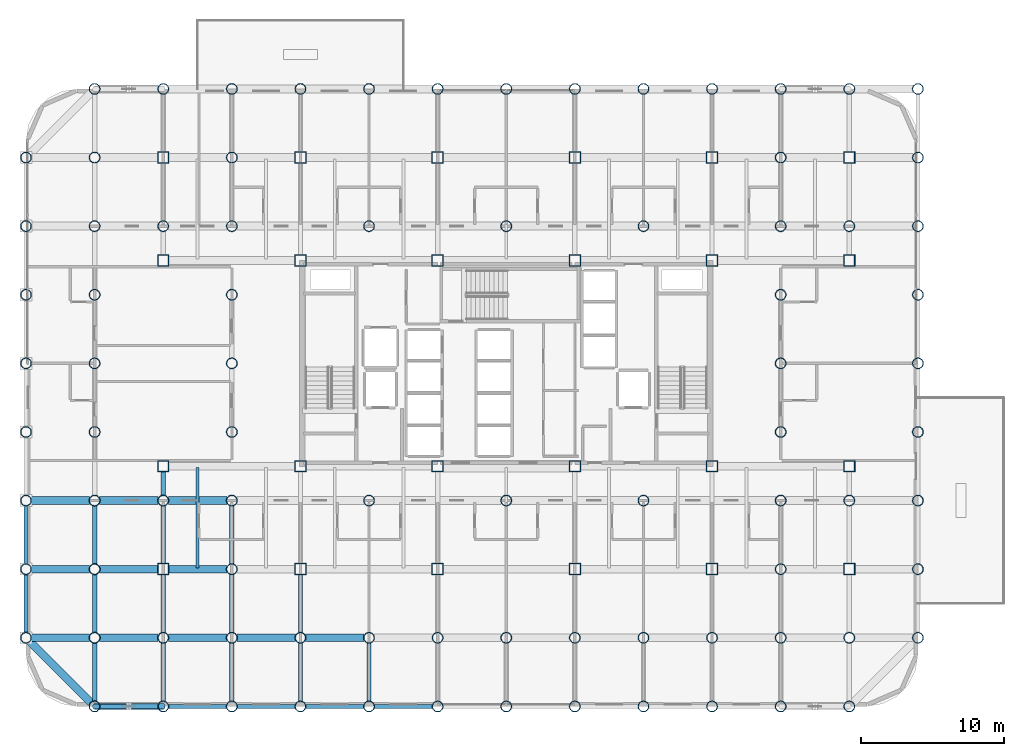
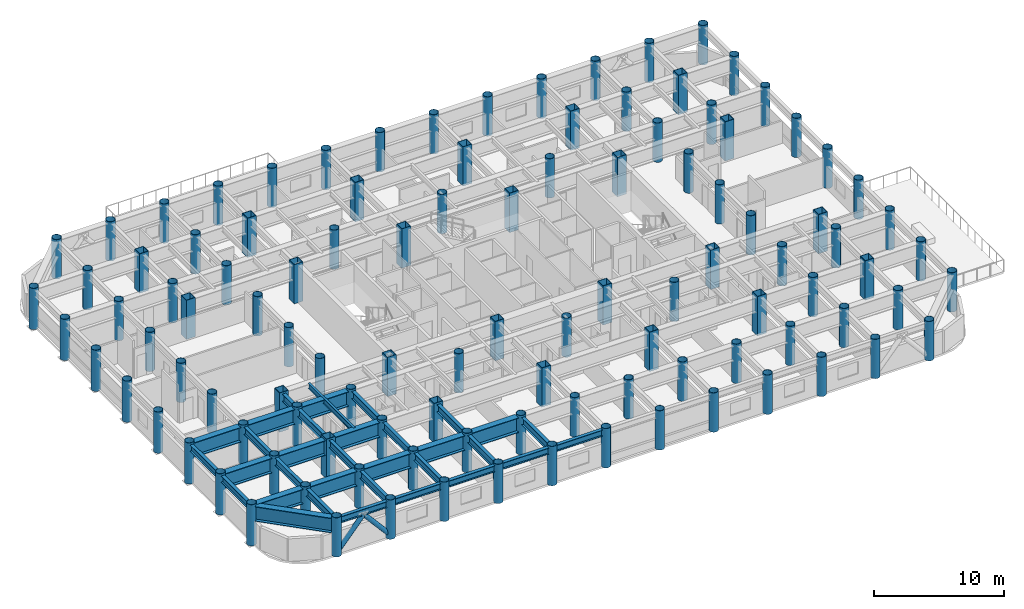
# One storey, part 1 of 24: 108 columns, 33 beams, 2 members.
"""IFC4 building model written with IfcOpenShell, lengths in metres."""

from ifc_helpers import new_model, si_unit, direction, frame, origin, origin_2d, place, context, subcontext, project, spatial, hollow_rectangle, hollow_circle, i_section, extrude, material, material_profile, profile_set, type_object, element, save


model = new_model("IFC4")

# Units and contexts
model_context = context("Model", 3, precision=1e-05, world=origin(), true_north=direction((0.0, 1.0)))
body_context = subcontext(model_context, "Body", "Model", "MODEL_VIEW")
ifc_project = project(units=[si_unit("LENGTHUNIT", "METRE"), si_unit("AREAUNIT", "SQUARE_METRE"), si_unit("VOLUMEUNIT", "CUBIC_METRE"), si_unit("PLANEANGLEUNIT", "RADIAN"), si_unit("MASSUNIT", "GRAM", prefix="KILO")], contexts=[model_context])

# Site, building, storey
site_placement = place(None, origin())
site = spatial("IfcSite", under=ifc_project, at=site_placement, CompositionType="ELEMENT")
building_placement = place(site_placement, origin())
building = spatial("IfcBuilding", under=site, at=building_placement, Name="Kallvorn Hotel Tower", CompositionType="ELEMENT")
storey_placement = place(building_placement, frame((0.0, 0.0, 30.0)))
storey = spatial("IfcBuildingStorey", under=building, at=storey_placement, Name="L05", CompositionType="ELEMENT", Elevation=30.0)

# Columns
ifc_material_1 = material(Name="Structural steel S355J2H", Category="steel")
ifc_material_profile_1 = material_profile(ifc_material_1, hollow_circle(Radius=0.381103515625, WallThickness=0.031982421875, at=origin_2d()), Name="CHS 762x32")
ifc_profile_set_1 = profile_set([ifc_material_profile_1], Name="Structural steel S355J2H")
column_type_1 = type_object("IfcColumnType", Name="COL_CHS_762", PredefinedType="COLUMN", material=ifc_profile_set_1)
for number, where, z_axis, x_axis, name in (
    (1, (-33.60009765625, -19.199951171875, -0.179931640625), (0.0, 0.0, 1.0), (1.0, 0.0, 0.0), "L05 Exoskeleton Column EC01"),
    (2, (-33.60009765625, -14.39990234375, -0.179931640625), (0.0, 0.0, 1.0), (1.0, 0.0, 0.0), "L05 Exoskeleton Column EC02"),
    (3, (-33.60009765625, -9.60009765625, -0.179931640625), (0.0, 0.0, 1.0), (1.0, 0.0, 0.0), "L05 Exoskeleton Column EC03"),
    (4, (-33.60009765625, -4.800048828125, -0.179931640625), (0.0, 0.0, 1.0), (1.0, 0.0, 0.0), "L05 Exoskeleton Column EC04"),
    (5, (-33.60009765625, 0.0, -0.179931640625), (0.0, 0.0, 1.0), (1.0, 0.0, 0.0), "L05 Exoskeleton Column EC05"),
    (6, (-33.60009765625, 4.800048828125, -0.179931640625), (0.0, 0.0, 1.0), (1.0, 0.0, 0.0), "L05 Exoskeleton Column EC06"),
    (7, (-33.60009765625, 9.60009765625, -0.179931640625), (0.0, 0.0, 1.0), (1.0, 0.0, 0.0), "L05 Exoskeleton Column EC07"),
    (8, (-33.60009765625, 14.39990234375, -0.179931640625), (0.0, 0.0, 1.0), (1.0, 0.0, 0.0), "L05 Exoskeleton Column EC08"),
):
    element("IfcColumn", number, at=place(storey_placement, frame(where, z_axis=z_axis, x_axis=x_axis)), inside=storey, type_object=column_type_1, Name=name, PredefinedType="COLUMN", context=body_context, shape_type="SweptSolid", body=[
        extrude(hollow_circle(Radius=0.381103515625, WallThickness=0.031982421875, at=origin_2d()), origin(), (0.0, 0.0, 1.0), 3.8798828125),
    ])
for number, where, z_axis, x_axis, name in (
    (9, (-28.800048828125, -24.0, 0.0), (0.0, 0.0, 1.0), (1.0, 0.0, 0.0), "L05 Exoskeleton Column EC09"),
    (10, (-28.800048828125, -19.199951171875, 0.0), (0.0, 0.0, 1.0), (1.0, 0.0, 0.0), "L05 Exoskeleton Column EC10"),
    (11, (-28.800048828125, -14.39990234375, 0.0), (0.0, 0.0, 1.0), (1.0, 0.0, 0.0), "L05 Exoskeleton Column EC11"),
    (12, (-28.800048828125, -9.60009765625, 0.0), (0.0, 0.0, 1.0), (1.0, 0.0, 0.0), "L05 Exoskeleton Column EC12"),
    (13, (-28.800048828125, -4.800048828125, 0.0), (0.0, 0.0, 1.0), (1.0, 0.0, 0.0), "L05 Exoskeleton Column EC13"),
    (14, (-28.800048828125, 0.0, 0.0), (0.0, 0.0, 1.0), (1.0, 0.0, 0.0), "L05 Exoskeleton Column EC14"),
    (15, (-28.800048828125, 4.800048828125, 0.0), (0.0, 0.0, 1.0), (1.0, 0.0, 0.0), "L05 Exoskeleton Column EC15"),
    (16, (-28.800048828125, 9.60009765625, 0.0), (0.0, 0.0, 1.0), (1.0, 0.0, 0.0), "L05 Exoskeleton Column EC16"),
    (17, (-28.800048828125, 14.39990234375, 0.0), (0.0, 0.0, 1.0), (1.0, 0.0, 0.0), "L05 Exoskeleton Column EC17"),
    (18, (-28.800048828125, 19.199951171875, 0.0), (0.0, 0.0, 1.0), (1.0, 0.0, 0.0), "L05 Exoskeleton Column EC18"),
    (19, (-24.0, -24.0, 0.0), (0.0, 0.0, 1.0), (1.0, 0.0, 0.0), "L05 Exoskeleton Column EC19"),
    (20, (-24.0, -19.199951171875, 0.0), (0.0, 0.0, 1.0), (1.0, 0.0, 0.0), "L05 Exoskeleton Column EC20"),
    (21, (-24.0, -9.60009765625, 0.0), (0.0, 0.0, 1.0), (1.0, 0.0, 0.0), "L05 Exoskeleton Column EC21"),
    (22, (-24.0, 9.60009765625, 0.0), (0.0, 0.0, 1.0), (1.0, 0.0, 0.0), "L05 Exoskeleton Column EC22"),
    (23, (-24.0, 19.199951171875, 0.0), (0.0, 0.0, 1.0), (1.0, 0.0, 0.0), "L05 Exoskeleton Column EC23"),
    (24, (-19.199951171875, -24.0, 0.0), (0.0, 0.0, 1.0), (1.0, 0.0, 0.0), "L05 Exoskeleton Column EC24"),
    (25, (-19.199951171875, -19.199951171875, 0.0), (0.0, 0.0, 1.0), (1.0, 0.0, 0.0), "L05 Exoskeleton Column EC25"),
    (26, (-19.199951171875, -14.39990234375, 0.0), (0.0, 0.0, 1.0), (1.0, 0.0, 0.0), "L05 Exoskeleton Column EC26"),
    (27, (-19.199951171875, -9.60009765625, 0.0), (0.0, 0.0, 1.0), (1.0, 0.0, 0.0), "L05 Exoskeleton Column EC27"),
    (28, (-19.199951171875, -4.800048828125, 0.0), (0.0, 0.0, 1.0), (1.0, 0.0, 0.0), "L05 Exoskeleton Column EC28"),
    (29, (-19.199951171875, 0.0, 0.0), (0.0, 0.0, 1.0), (1.0, 0.0, 0.0), "L05 Exoskeleton Column EC29"),
    (30, (-19.199951171875, 4.800048828125, 0.0), (0.0, 0.0, 1.0), (1.0, 0.0, 0.0), "L05 Exoskeleton Column EC30"),
    (31, (-19.199951171875, 9.60009765625, 0.0), (0.0, 0.0, 1.0), (1.0, 0.0, 0.0), "L05 Exoskeleton Column EC31"),
    (32, (-19.199951171875, 14.39990234375, 0.0), (0.0, 0.0, 1.0), (1.0, 0.0, 0.0), "L05 Exoskeleton Column EC32"),
    (33, (-19.199951171875, 19.199951171875, 0.0), (0.0, 0.0, 1.0), (1.0, 0.0, 0.0), "L05 Exoskeleton Column EC33"),
    (34, (-14.39990234375, -24.0, 0.0), (0.0, 0.0, 1.0), (1.0, 0.0, 0.0), "L05 Exoskeleton Column EC34"),
    (35, (-14.39990234375, -19.199951171875, 0.0), (0.0, 0.0, 1.0), (1.0, 0.0, 0.0), "L05 Exoskeleton Column EC35"),
    (36, (-14.39990234375, 19.199951171875, 0.0), (0.0, 0.0, 1.0), (1.0, 0.0, 0.0), "L05 Exoskeleton Column EC36"),
    (37, (-9.60009765625, -24.0, 0.0), (0.0, 0.0, 1.0), (1.0, 0.0, 0.0), "L05 Exoskeleton Column EC37"),
    (38, (-9.60009765625, -19.199951171875, 0.0), (0.0, 0.0, 1.0), (1.0, 0.0, 0.0), "L05 Exoskeleton Column EC38"),
    (39, (-9.60009765625, -9.60009765625, 0.0), (0.0, 0.0, 1.0), (1.0, 0.0, 0.0), "L05 Exoskeleton Column EC39"),
    (40, (-9.60009765625, 9.60009765625, 0.0), (0.0, 0.0, 1.0), (1.0, 0.0, 0.0), "L05 Exoskeleton Column EC40"),
    (41, (-9.60009765625, 19.199951171875, 0.0), (0.0, 0.0, 1.0), (1.0, 0.0, 0.0), "L05 Exoskeleton Column EC41"),
    (42, (-4.800048828125, -24.0, 0.0), (0.0, 0.0, 1.0), (1.0, 0.0, 0.0), "L05 Exoskeleton Column EC42"),
    (43, (-4.800048828125, -19.199951171875, 0.0), (0.0, 0.0, 1.0), (1.0, 0.0, 0.0), "L05 Exoskeleton Column EC43"),
    (44, (-4.800048828125, 19.199951171875, 0.0), (0.0, 0.0, 1.0), (1.0, 0.0, 0.0), "L05 Exoskeleton Column EC44"),
    (45, (0.0, -24.0, 0.0), (0.0, 0.0, 1.0), (1.0, 0.0, 0.0), "L05 Exoskeleton Column EC45"),
    (46, (0.0, -19.199951171875, 0.0), (0.0, 0.0, 1.0), (1.0, 0.0, 0.0), "L05 Exoskeleton Column EC46"),
    (47, (0.0, -9.60009765625, 0.0), (0.0, 0.0, 1.0), (1.0, 0.0, 0.0), "L05 Exoskeleton Column EC47"),
    (48, (0.0, 9.60009765625, 0.0), (0.0, 0.0, 1.0), (1.0, 0.0, 0.0), "L05 Exoskeleton Column EC48"),
    (49, (0.0, 19.199951171875, 0.0), (0.0, 0.0, 1.0), (1.0, 0.0, 0.0), "L05 Exoskeleton Column EC49"),
    (50, (4.800048828125, -24.0, 0.0), (0.0, 0.0, 1.0), (1.0, 0.0, 0.0), "L05 Exoskeleton Column EC50"),
    (51, (4.800048828125, -19.199951171875, 0.0), (0.0, 0.0, 1.0), (1.0, 0.0, 0.0), "L05 Exoskeleton Column EC51"),
    (52, (4.800048828125, 19.199951171875, 0.0), (0.0, 0.0, 1.0), (1.0, 0.0, 0.0), "L05 Exoskeleton Column EC52"),
    (53, (9.60009765625, -24.0, 0.0), (0.0, 0.0, 1.0), (1.0, 0.0, 0.0), "L05 Exoskeleton Column EC53"),
    (54, (9.60009765625, -19.199951171875, 0.0), (0.0, 0.0, 1.0), (1.0, 0.0, 0.0), "L05 Exoskeleton Column EC54"),
    (55, (9.60009765625, -9.60009765625, 0.0), (0.0, 0.0, 1.0), (1.0, 0.0, 0.0), "L05 Exoskeleton Column EC55"),
    (56, (9.60009765625, 9.60009765625, 0.0), (0.0, 0.0, 1.0), (1.0, 0.0, 0.0), "L05 Exoskeleton Column EC56"),
    (57, (9.60009765625, 19.199951171875, 0.0), (0.0, 0.0, 1.0), (1.0, 0.0, 0.0), "L05 Exoskeleton Column EC57"),
    (58, (14.39990234375, -24.0, 0.0), (0.0, 0.0, 1.0), (1.0, 0.0, 0.0), "L05 Exoskeleton Column EC58"),
    (59, (14.39990234375, -19.199951171875, 0.0), (0.0, 0.0, 1.0), (1.0, 0.0, 0.0), "L05 Exoskeleton Column EC59"),
    (60, (14.39990234375, 19.199951171875, 0.0), (0.0, 0.0, 1.0), (1.0, 0.0, 0.0), "L05 Exoskeleton Column EC60"),
    (61, (19.199951171875, -24.0, 0.0), (0.0, 0.0, 1.0), (1.0, 0.0, 0.0), "L05 Exoskeleton Column EC61"),
    (62, (19.199951171875, -19.199951171875, 0.0), (0.0, 0.0, 1.0), (1.0, 0.0, 0.0), "L05 Exoskeleton Column EC62"),
    (63, (19.199951171875, -14.39990234375, 0.0), (0.0, 0.0, 1.0), (1.0, 0.0, 0.0), "L05 Exoskeleton Column EC63"),
    (64, (19.199951171875, -9.60009765625, 0.0), (0.0, 0.0, 1.0), (1.0, 0.0, 0.0), "L05 Exoskeleton Column EC64"),
    (65, (19.199951171875, -4.800048828125, 0.0), (0.0, 0.0, 1.0), (1.0, 0.0, 0.0), "L05 Exoskeleton Column EC65"),
    (66, (19.199951171875, 0.0, 0.0), (0.0, 0.0, 1.0), (1.0, 0.0, 0.0), "L05 Exoskeleton Column EC66"),
    (67, (19.199951171875, 4.800048828125, 0.0), (0.0, 0.0, 1.0), (1.0, 0.0, 0.0), "L05 Exoskeleton Column EC67"),
    (68, (19.199951171875, 9.60009765625, 0.0), (0.0, 0.0, 1.0), (1.0, 0.0, 0.0), "L05 Exoskeleton Column EC68"),
    (69, (19.199951171875, 14.39990234375, 0.0), (0.0, 0.0, 1.0), (1.0, 0.0, 0.0), "L05 Exoskeleton Column EC69"),
    (70, (19.199951171875, 19.199951171875, 0.0), (0.0, 0.0, 1.0), (1.0, 0.0, 0.0), "L05 Exoskeleton Column EC70"),
    (71, (24.0, -24.0, 0.0), (0.0, 0.0, 1.0), (1.0, 0.0, 0.0), "L05 Exoskeleton Column EC71"),
    (72, (24.0, -19.199951171875, 0.0), (0.0, 0.0, 1.0), (1.0, 0.0, 0.0), "L05 Exoskeleton Column EC72"),
    (73, (24.0, -9.60009765625, 0.0), (0.0, 0.0, 1.0), (1.0, 0.0, 0.0), "L05 Exoskeleton Column EC73"),
    (74, (24.0, 9.60009765625, 0.0), (0.0, 0.0, 1.0), (1.0, 0.0, 0.0), "L05 Exoskeleton Column EC74"),
    (75, (24.0, 19.199951171875, 0.0), (0.0, 0.0, 1.0), (1.0, 0.0, 0.0), "L05 Exoskeleton Column EC75"),
    (76, (28.800048828125, -19.199951171875, 0.0), (0.0, 0.0, 1.0), (1.0, 0.0, 0.0), "L05 Exoskeleton Column EC76"),
    (77, (28.800048828125, -14.39990234375, 0.0), (0.0, 0.0, 1.0), (1.0, 0.0, 0.0), "L05 Exoskeleton Column EC77"),
    (78, (28.800048828125, -9.60009765625, 0.0), (0.0, 0.0, 1.0), (1.0, 0.0, 0.0), "L05 Exoskeleton Column EC78"),
    (79, (28.800048828125, -4.800048828125, 0.0), (0.0, 0.0, 1.0), (1.0, 0.0, 0.0), "L05 Exoskeleton Column EC79"),
    (80, (28.800048828125, 0.0, 0.0), (0.0, 0.0, 1.0), (1.0, 0.0, 0.0), "L05 Exoskeleton Column EC80"),
    (81, (28.800048828125, 4.800048828125, 0.0), (0.0, 0.0, 1.0), (1.0, 0.0, 0.0), "L05 Exoskeleton Column EC81"),
    (82, (28.800048828125, 9.60009765625, 0.0), (0.0, 0.0, 1.0), (1.0, 0.0, 0.0), "L05 Exoskeleton Column EC82"),
    (83, (28.800048828125, 14.39990234375, 0.0), (0.0, 0.0, 1.0), (1.0, 0.0, 0.0), "L05 Exoskeleton Column EC83"),
    (84, (28.800048828125, 19.199951171875, 0.0), (0.0, 0.0, 1.0), (1.0, 0.0, 0.0), "L05 Exoskeleton Column EC84"),
):
    element("IfcColumn", number, at=place(storey_placement, frame(where, z_axis=z_axis, x_axis=x_axis)), inside=storey, type_object=column_type_1, Name=name, PredefinedType="COLUMN", context=body_context, shape_type="SweptSolid", body=[
        extrude(hollow_circle(Radius=0.381103515625, WallThickness=0.031982421875, at=origin_2d()), origin(), (0.0, 0.0, 1.0), 3.699951171875),
    ])
ifc_material_2 = material(Name="Structural steel S355J2H", Category="steel")
ifc_material_profile_2 = material_profile(ifc_material_2, hollow_rectangle(XDim=0.800048828125, YDim=0.800048828125, WallThickness=0.035888671875, at=origin_2d()), Name="RHS 800x800x36")
ifc_profile_set_2 = profile_set([ifc_material_profile_2], Name="Structural steel S355J2H")
column_type_2 = type_object("IfcColumnType", Name="COL_RHS_800", PredefinedType="COLUMN", material=ifc_profile_set_2)
for number, where, z_axis, x_axis, name in (
    (85, (-24.0, -14.39990234375, 0.0), (0.0, 0.0, 1.0), (1.0, 0.0, 0.0), "L05 Inner Column IC01"),
    (86, (-24.0, -7.199951171875, 0.0), (0.0, 0.0, 1.0), (1.0, 0.0, 0.0), "L05 Inner Column IC02"),
    (87, (-24.0, 7.199951171875, 0.0), (0.0, 0.0, 1.0), (1.0, 0.0, 0.0), "L05 Inner Column IC03"),
    (88, (-24.0, 14.39990234375, 0.0), (0.0, 0.0, 1.0), (1.0, 0.0, 0.0), "L05 Inner Column IC04"),
    (89, (-14.39990234375, -14.39990234375, 0.0), (0.0, 0.0, 1.0), (1.0, 0.0, 0.0), "L05 Inner Column IC05"),
    (90, (-14.39990234375, -7.199951171875, 0.0), (0.0, 0.0, 1.0), (1.0, 0.0, 0.0), "L05 Inner Column IC06"),
    (91, (-14.39990234375, 7.199951171875, 0.0), (0.0, 0.0, 1.0), (1.0, 0.0, 0.0), "L05 Inner Column IC07"),
    (92, (-14.39990234375, 14.39990234375, 0.0), (0.0, 0.0, 1.0), (1.0, 0.0, 0.0), "L05 Inner Column IC08"),
    (93, (-4.800048828125, -14.39990234375, 0.0), (0.0, 0.0, 1.0), (1.0, 0.0, 0.0), "L05 Inner Column IC09"),
    (94, (-4.800048828125, -7.199951171875, 0.0), (0.0, 0.0, 1.0), (1.0, 0.0, 0.0), "L05 Inner Column IC10"),
    (95, (-4.800048828125, 7.199951171875, 0.0), (0.0, 0.0, 1.0), (1.0, 0.0, 0.0), "L05 Inner Column IC11"),
    (96, (-4.800048828125, 14.39990234375, 0.0), (0.0, 0.0, 1.0), (1.0, 0.0, 0.0), "L05 Inner Column IC12"),
    (97, (4.800048828125, -14.39990234375, 0.0), (0.0, 0.0, 1.0), (1.0, 0.0, 0.0), "L05 Inner Column IC13"),
    (98, (4.800048828125, -7.199951171875, 0.0), (0.0, 0.0, 1.0), (1.0, 0.0, 0.0), "L05 Inner Column IC14"),
    (99, (4.800048828125, 7.199951171875, 0.0), (0.0, 0.0, 1.0), (1.0, 0.0, 0.0), "L05 Inner Column IC15"),
    (100, (4.800048828125, 14.39990234375, 0.0), (0.0, 0.0, 1.0), (1.0, 0.0, 0.0), "L05 Inner Column IC16"),
    (101, (14.39990234375, -14.39990234375, 0.0), (0.0, 0.0, 1.0), (1.0, 0.0, 0.0), "L05 Inner Column IC17"),
    (102, (14.39990234375, -7.199951171875, 0.0), (0.0, 0.0, 1.0), (1.0, 0.0, 0.0), "L05 Inner Column IC18"),
    (103, (14.39990234375, 7.199951171875, 0.0), (0.0, 0.0, 1.0), (1.0, 0.0, 0.0), "L05 Inner Column IC19"),
    (104, (14.39990234375, 14.39990234375, 0.0), (0.0, 0.0, 1.0), (1.0, 0.0, 0.0), "L05 Inner Column IC20"),
    (105, (24.0, -14.39990234375, 0.0), (0.0, 0.0, 1.0), (1.0, 0.0, 0.0), "L05 Inner Column IC21"),
    (106, (24.0, -7.199951171875, 0.0), (0.0, 0.0, 1.0), (1.0, 0.0, 0.0), "L05 Inner Column IC22"),
    (107, (24.0, 7.199951171875, 0.0), (0.0, 0.0, 1.0), (1.0, 0.0, 0.0), "L05 Inner Column IC23"),
    (108, (24.0, 14.39990234375, 0.0), (0.0, 0.0, 1.0), (1.0, 0.0, 0.0), "L05 Inner Column IC24"),
):
    element("IfcColumn", number, at=place(storey_placement, frame(where, z_axis=z_axis, x_axis=x_axis)), inside=storey, type_object=column_type_2, Name=name, PredefinedType="COLUMN", context=body_context, shape_type="SweptSolid", body=[
        extrude(hollow_rectangle(XDim=0.800048828125, YDim=0.800048828125, WallThickness=0.035888671875, at=origin_2d()), origin(), (0.0, 0.0, 1.0), 3.699951171875),
    ])

# Beams
ifc_material_3 = material(Name="Structural steel S355JR", Category="steel")
ifc_material_profile_3 = material_profile(ifc_material_3, i_section(OverallWidth=0.300048828125, OverallDepth=0.60009765625, WebThickness=0.015380859375, FlangeThickness=0.030029296875, at=origin_2d()), Name="HE 600 B")
ifc_profile_set_3 = profile_set([ifc_material_profile_3], Name="Structural steel S355JR")
beam_type_1 = type_object("IfcBeamType", Name="BM_HE600B", PredefinedType="SPANDREL", material=ifc_profile_set_3)
for number, where, z_axis, x_axis, name in (
    (109, (-28.428955078125, -24.0, 3.219970703125), (1.0, 0.0, 0.0), (0.0, 1.0, 0.0), "L06 Perimeter Spandrel 151"),
    (110, (-23.62890625, -24.0, 3.219970703125), (1.0, 0.0, 0.0), (0.0, 1.0, 0.0), "L06 Perimeter Spandrel 152"),
):
    element("IfcBeam", number, at=place(storey_placement, frame(where, z_axis=z_axis, x_axis=x_axis)), inside=storey, type_object=beam_type_1, Name=name, PredefinedType="SPANDREL", context=body_context, shape_type="SweptSolid", body=[
        extrude(i_section(OverallWidth=0.300048828125, OverallDepth=0.60009765625, WebThickness=0.015380859375, FlangeThickness=0.030029296875, at=origin_2d()), origin(), (0.0, 0.0, 1.0), 4.057861328125),
    ])
for number, where, z_axis, x_axis, name in (
    (111, (-18.8291015625, -24.0, 3.219970703125), (1.0, 0.0, 0.0), (0.0, 1.0, 0.0), "L06 Perimeter Spandrel 153"),
    (112, (-14.029052734375, -24.0, 3.219970703125), (1.0, 0.0, 0.0), (0.0, 1.0, 0.0), "L06 Perimeter Spandrel 154"),
    (113, (-9.22900390625, -24.0, 3.219970703125), (1.0, 0.0, 0.0), (0.0, 1.0, 0.0), "L06 Perimeter Spandrel 155"),
    (114, (-33.60009765625, -18.8291015625, 3.219970703125), (0.0, 1.0, 0.0), (-1.0, 0.0, 0.0), "L06 Perimeter Spandrel 174"),
    (115, (-33.60009765625, -14.029052734375, 3.219970703125), (0.0, 1.0, 0.0), (-1.0, 0.0, 0.0), "L06 Perimeter Spandrel 175"),
):
    element("IfcBeam", number, at=place(storey_placement, frame(where, z_axis=z_axis, x_axis=x_axis)), inside=storey, type_object=beam_type_1, Name=name, PredefinedType="SPANDREL", context=body_context, shape_type="SweptSolid", body=[
        extrude(i_section(OverallWidth=0.300048828125, OverallDepth=0.60009765625, WebThickness=0.015380859375, FlangeThickness=0.030029296875, at=origin_2d()), origin(), (0.0, 0.0, 1.0), 4.05810546875),
    ])
ifc_material_4 = material(Name="Structural steel S355JR", Category="steel")
ifc_material_profile_4 = material_profile(ifc_material_4, i_section(OverallWidth=0.300048828125, OverallDepth=0.699951171875, WebThickness=0.01708984375, FlangeThickness=0.031982421875, at=origin_2d()), Name="HE 700 B")
ifc_profile_set_4 = profile_set([ifc_material_profile_4], Name="Structural steel S355JR")
beam_type_2 = type_object("IfcBeamType", Name="BM_HE700B", PredefinedType="BEAM", material=ifc_profile_set_4)
beam_1_placement = place(storey_placement, frame((-28.800048828125, -23.64404296875, 3.169921875), z_axis=(0.0, 1.0, 0.0), x_axis=(-1.0, 0.0, 0.0)))
element("IfcBeam", 116, at=beam_1_placement, inside=storey, type_object=beam_type_2, Name="L06 Primary Y-Girder 73", PredefinedType="BEAM", context=body_context, shape_type="SweptSolid", body=[
    extrude(i_section(OverallWidth=0.300048828125, OverallDepth=0.699951171875, WebThickness=0.01708984375, FlangeThickness=0.031982421875, at=origin_2d()), origin(), (0.0, 0.0, 1.0), 4.088134765625),
])
for number, where, z_axis, x_axis, name in (
    (117, (-28.800048828125, -18.843994140625, 3.169921875), (0.0, 1.0, 0.0), (-1.0, 0.0, 0.0), "L06 Primary Y-Girder 74"),
    (118, (-28.800048828125, -14.0439453125, 3.169921875), (0.0, 1.0, 0.0), (-1.0, 0.0, 0.0), "L06 Primary Y-Girder 75"),
):
    element("IfcBeam", number, at=place(storey_placement, frame(where, z_axis=z_axis, x_axis=x_axis)), inside=storey, type_object=beam_type_2, Name=name, PredefinedType="BEAM", context=body_context, shape_type="SweptSolid", body=[
        extrude(i_section(OverallWidth=0.300048828125, OverallDepth=0.699951171875, WebThickness=0.01708984375, FlangeThickness=0.031982421875, at=origin_2d()), origin(), (0.0, 0.0, 1.0), 4.087890625),
    ])
beam_2_placement = place(storey_placement, frame((-24.0, -23.64404296875, 3.169921875), z_axis=(0.0, 1.0, 0.0), x_axis=(-1.0, 0.0, 0.0)))
element("IfcBeam", 119, at=beam_2_placement, inside=storey, type_object=beam_type_2, Name="L06 Primary Y-Girder 82", PredefinedType="BEAM", context=body_context, shape_type="SweptSolid", body=[
    extrude(i_section(OverallWidth=0.300048828125, OverallDepth=0.699951171875, WebThickness=0.01708984375, FlangeThickness=0.031982421875, at=origin_2d()), origin(), (0.0, 0.0, 1.0), 4.088134765625),
])
beam_3_placement = place(storey_placement, frame((-24.0, -18.843994140625, 3.169921875), z_axis=(0.0, 1.0, 0.0), x_axis=(-1.0, 0.0, 0.0)))
element("IfcBeam", 120, at=beam_3_placement, inside=storey, type_object=beam_type_2, Name="L06 Primary Y-Girder 83", PredefinedType="BEAM", context=body_context, shape_type="SweptSolid", body=[
    extrude(i_section(OverallWidth=0.300048828125, OverallDepth=0.699951171875, WebThickness=0.01708984375, FlangeThickness=0.031982421875, at=origin_2d()), origin(), (0.0, 0.0, 1.0), 4.069091796875),
])
beam_4_placement = place(storey_placement, frame((-24.0, -14.02490234375, 3.169921875), z_axis=(0.0, 1.0, 0.0), x_axis=(-1.0, 0.0, 0.0)))
element("IfcBeam", 121, at=beam_4_placement, inside=storey, type_object=beam_type_2, Name="L06 Primary Y-Girder 84", PredefinedType="BEAM", context=body_context, shape_type="SweptSolid", body=[
    extrude(i_section(OverallWidth=0.300048828125, OverallDepth=0.699951171875, WebThickness=0.01708984375, FlangeThickness=0.031982421875, at=origin_2d()), origin(), (0.0, 0.0, 1.0), 4.06884765625),
])
beam_5_placement = place(storey_placement, frame((-24.0, -9.243896484375, 3.169921875), z_axis=(0.0, 1.0, 0.0), x_axis=(-1.0, 0.0, 0.0)))
element("IfcBeam", 122, at=beam_5_placement, inside=storey, type_object=beam_type_2, Name="L06 Primary Y-Girder 85", PredefinedType="BEAM", context=body_context, shape_type="SweptSolid", body=[
    extrude(i_section(OverallWidth=0.300048828125, OverallDepth=0.699951171875, WebThickness=0.01708984375, FlangeThickness=0.031982421875, at=origin_2d()), origin(), (0.0, 0.0, 1.0), 1.6689453125),
])
beam_6_placement = place(storey_placement, frame((-19.199951171875, -23.64404296875, 3.169921875), z_axis=(0.0, 1.0, 0.0), x_axis=(-1.0, 0.0, 0.0)))
element("IfcBeam", 123, at=beam_6_placement, inside=storey, type_object=beam_type_2, Name="L06 Primary Y-Girder 89", PredefinedType="BEAM", context=body_context, shape_type="SweptSolid", body=[
    extrude(i_section(OverallWidth=0.300048828125, OverallDepth=0.699951171875, WebThickness=0.01708984375, FlangeThickness=0.031982421875, at=origin_2d()), origin(), (0.0, 0.0, 1.0), 4.088134765625),
])
for number, where, z_axis, x_axis, name in (
    (124, (-19.199951171875, -18.843994140625, 3.169921875), (0.0, 1.0, 0.0), (-1.0, 0.0, 0.0), "L06 Primary Y-Girder 90"),
    (125, (-19.199951171875, -14.0439453125, 3.169921875), (0.0, 1.0, 0.0), (-1.0, 0.0, 0.0), "L06 Primary Y-Girder 91"),
):
    element("IfcBeam", number, at=place(storey_placement, frame(where, z_axis=z_axis, x_axis=x_axis)), inside=storey, type_object=beam_type_2, Name=name, PredefinedType="BEAM", context=body_context, shape_type="SweptSolid", body=[
        extrude(i_section(OverallWidth=0.300048828125, OverallDepth=0.699951171875, WebThickness=0.01708984375, FlangeThickness=0.031982421875, at=origin_2d()), origin(), (0.0, 0.0, 1.0), 4.087890625),
    ])
beam_7_placement = place(storey_placement, frame((-14.39990234375, -23.64404296875, 3.169921875), z_axis=(0.0, 1.0, 0.0), x_axis=(-1.0, 0.0, 0.0)))
element("IfcBeam", 126, at=beam_7_placement, inside=storey, type_object=beam_type_2, Name="L06 Primary Y-Girder 98", PredefinedType="BEAM", context=body_context, shape_type="SweptSolid", body=[
    extrude(i_section(OverallWidth=0.300048828125, OverallDepth=0.699951171875, WebThickness=0.01708984375, FlangeThickness=0.031982421875, at=origin_2d()), origin(), (0.0, 0.0, 1.0), 4.088134765625),
])
beam_8_placement = place(storey_placement, frame((-14.39990234375, -18.843994140625, 3.169921875), z_axis=(0.0, 1.0, 0.0), x_axis=(-1.0, 0.0, 0.0)))
element("IfcBeam", 127, at=beam_8_placement, inside=storey, type_object=beam_type_2, Name="L06 Primary Y-Girder 99", PredefinedType="BEAM", context=body_context, shape_type="SweptSolid", body=[
    extrude(i_section(OverallWidth=0.300048828125, OverallDepth=0.699951171875, WebThickness=0.01708984375, FlangeThickness=0.031982421875, at=origin_2d()), origin(), (0.0, 0.0, 1.0), 4.069091796875),
])
beam_9_placement = place(storey_placement, frame((-9.60009765625, -23.64404296875, 3.169921875), z_axis=(0.0, 1.0, 0.0), x_axis=(-1.0, 0.0, 0.0)))
element("IfcBeam", 128, at=beam_9_placement, inside=storey, type_object=beam_type_2, Name="L06 Primary Y-Girder 103", PredefinedType="BEAM", context=body_context, shape_type="SweptSolid", body=[
    extrude(i_section(OverallWidth=0.300048828125, OverallDepth=0.699951171875, WebThickness=0.01708984375, FlangeThickness=0.031982421875, at=origin_2d()), origin(), (0.0, 0.0, 1.0), 4.088134765625),
])
ifc_material_5 = material(Name="Structural steel S355JR", Category="steel")
ifc_material_profile_5 = material_profile(ifc_material_5, i_section(OverallWidth=0.199951171875, OverallDepth=0.5, WebThickness=0.01025390625, FlangeThickness=0.01611328125, at=origin_2d()), Name="IPE 500")
ifc_profile_set_5 = profile_set([ifc_material_profile_5], Name="Structural steel S355JR")
beam_type_3 = type_object("IfcBeamType", Name="BM_IPE500", PredefinedType="JOIST", material=ifc_profile_set_5)
beam_10_placement = place(storey_placement, frame((-21.60009765625, -14.300048828125, 3.27001953125), z_axis=(0.0, 1.0, 0.0), x_axis=(-1.0, 0.0, 0.0)))
element("IfcBeam", 129, at=beam_10_placement, inside=storey, type_object=beam_type_3, Name="L06 Secondary Composite Joist 192", PredefinedType="JOIST", context=body_context, shape_type="SweptSolid", body=[
    extrude(i_section(OverallWidth=0.199951171875, OverallDepth=0.5, WebThickness=0.01025390625, FlangeThickness=0.01611328125, at=origin_2d()), origin(), (0.0, 0.0, 1.0), 7.0),
])
ifc_material_6 = material(Name="Structural steel S355JR", Category="steel")
ifc_material_profile_6 = material_profile(ifc_material_6, i_section(OverallWidth=0.550048828125, OverallDepth=1.39990234375, WebThickness=0.02490234375, FlangeThickness=0.044921875, at=origin_2d()), Name="PG 1400x550x25x45")
ifc_profile_set_6 = profile_set([ifc_material_profile_6], Name="Structural steel S355JR")
beam_type_4 = type_object("IfcBeamType", Name="BM_PG_1400", PredefinedType="BEAM", material=ifc_profile_set_6)
beam_11_placement = place(storey_placement, frame((-33.243896484375, -19.199951171875, 2.820068359375), z_axis=(1.0, 0.0, 0.0), x_axis=(0.0, 1.0, 0.0)))
element("IfcBeam", 130, at=beam_11_placement, inside=storey, type_object=beam_type_4, Name="L06 Primary X-Girder 01", PredefinedType="BEAM", context=body_context, shape_type="SweptSolid", body=[
    extrude(i_section(OverallWidth=0.550048828125, OverallDepth=1.39990234375, WebThickness=0.02490234375, FlangeThickness=0.044921875, at=origin_2d()), origin(), (0.0, 0.0, 1.0), 4.087890625),
])
for number, where, z_axis, x_axis, name in (
    (131, (-28.444091796875, -19.199951171875, 2.820068359375), (1.0, 0.0, 0.0), (0.0, 1.0, 0.0), "L06 Primary X-Girder 02"),
    (132, (-23.64404296875, -19.199951171875, 2.820068359375), (1.0, 0.0, 0.0), (0.0, 1.0, 0.0), "L06 Primary X-Girder 03"),
):
    element("IfcBeam", number, at=place(storey_placement, frame(where, z_axis=z_axis, x_axis=x_axis)), inside=storey, type_object=beam_type_4, Name=name, PredefinedType="BEAM", context=body_context, shape_type="SweptSolid", body=[
        extrude(i_section(OverallWidth=0.550048828125, OverallDepth=1.39990234375, WebThickness=0.02490234375, FlangeThickness=0.044921875, at=origin_2d()), origin(), (0.0, 0.0, 1.0), 4.088134765625),
    ])
for number, where, z_axis, x_axis, name in (
    (133, (-18.843994140625, -19.199951171875, 2.820068359375), (1.0, 0.0, 0.0), (0.0, 1.0, 0.0), "L06 Primary X-Girder 04"),
    (134, (-14.0439453125, -19.199951171875, 2.820068359375), (1.0, 0.0, 0.0), (0.0, 1.0, 0.0), "L06 Primary X-Girder 05"),
    (135, (-33.243896484375, -14.39990234375, 2.820068359375), (1.0, 0.0, 0.0), (0.0, 1.0, 0.0), "L06 Primary X-Girder 14"),
):
    element("IfcBeam", number, at=place(storey_placement, frame(where, z_axis=z_axis, x_axis=x_axis)), inside=storey, type_object=beam_type_4, Name=name, PredefinedType="BEAM", context=body_context, shape_type="SweptSolid", body=[
        extrude(i_section(OverallWidth=0.550048828125, OverallDepth=1.39990234375, WebThickness=0.02490234375, FlangeThickness=0.044921875, at=origin_2d()), origin(), (0.0, 0.0, 1.0), 4.087890625),
    ])
for number, where, z_axis, x_axis, name in (
    (136, (-28.444091796875, -14.39990234375, 2.820068359375), (1.0, 0.0, 0.0), (0.0, 1.0, 0.0), "L06 Primary X-Girder 15"),
    (137, (-23.625, -14.39990234375, 2.820068359375), (1.0, 0.0, 0.0), (0.0, 1.0, 0.0), "L06 Primary X-Girder 16"),
):
    element("IfcBeam", number, at=place(storey_placement, frame(where, z_axis=z_axis, x_axis=x_axis)), inside=storey, type_object=beam_type_4, Name=name, PredefinedType="BEAM", context=body_context, shape_type="SweptSolid", body=[
        extrude(i_section(OverallWidth=0.550048828125, OverallDepth=1.39990234375, WebThickness=0.02490234375, FlangeThickness=0.044921875, at=origin_2d()), origin(), (0.0, 0.0, 1.0), 4.069091796875),
    ])
beam_12_placement = place(storey_placement, frame((-33.243896484375, -9.60009765625, 2.820068359375), z_axis=(1.0, 0.0, 0.0), x_axis=(0.0, 1.0, 0.0)))
element("IfcBeam", 138, at=beam_12_placement, inside=storey, type_object=beam_type_4, Name="L06 Primary X-Girder 24", PredefinedType="BEAM", context=body_context, shape_type="SweptSolid", body=[
    extrude(i_section(OverallWidth=0.550048828125, OverallDepth=1.39990234375, WebThickness=0.02490234375, FlangeThickness=0.044921875, at=origin_2d()), origin(), (0.0, 0.0, 1.0), 4.087890625),
])
for number, where, z_axis, x_axis, name in (
    (139, (-28.444091796875, -9.60009765625, 2.820068359375), (1.0, 0.0, 0.0), (0.0, 1.0, 0.0), "L06 Primary X-Girder 25"),
    (140, (-23.64404296875, -9.60009765625, 2.820068359375), (1.0, 0.0, 0.0), (0.0, 1.0, 0.0), "L06 Primary X-Girder 26"),
):
    element("IfcBeam", number, at=place(storey_placement, frame(where, z_axis=z_axis, x_axis=x_axis)), inside=storey, type_object=beam_type_4, Name=name, PredefinedType="BEAM", context=body_context, shape_type="SweptSolid", body=[
        extrude(i_section(OverallWidth=0.550048828125, OverallDepth=1.39990234375, WebThickness=0.02490234375, FlangeThickness=0.044921875, at=origin_2d()), origin(), (0.0, 0.0, 1.0), 4.088134765625),
    ])
beam_13_placement = place(storey_placement, frame((-33.337646484375, -19.46240234375, 2.820068359375), z_axis=(0.707106781187, -0.707106781187, 0.0), x_axis=(0.707106781187, 0.707106781187, 0.0)))
element("IfcBeam", 141, at=beam_13_placement, inside=storey, type_object=beam_type_4, Name="L06 Rounded Corner Tie Beam 189", PredefinedType="BEAM", context=body_context, shape_type="SweptSolid", body=[
    extrude(i_section(OverallWidth=0.550048828125, OverallDepth=1.39990234375, WebThickness=0.02490234375, FlangeThickness=0.044921875, at=origin_2d()), origin(), (0.0, 0.0, 1.0), 6.04638671875),
])

# Members
ifc_material_7 = material(Name="Structural steel S355J2H", Category="steel")
ifc_material_profile_7 = material_profile(ifc_material_7, hollow_circle(Radius=0.203125, WallThickness=0.01611328125, at=origin_2d()), Name="CHS 406.4x16")
ifc_profile_set_7 = profile_set([ifc_material_profile_7], Name="Structural steel S355J2H")
member_type = type_object("IfcMemberType", Name="MBR_EXO_CHS406", PredefinedType="BRACE", material=ifc_profile_set_7)
for number, where, z_axis, x_axis, name in (
    (142, (-28.786865234375, -24.0, 0.195068359375), (0.65346062529, 0.0, 0.756960508346), (0.0, 1.0, 0.0), "L05 Exoskeleton K-Brace S1A"),
    (143, (-24.01318359375, -24.0, 0.195068359375), (-0.65346062529, 0.0, 0.756960508346), (0.0, -1.0, 0.0), "L05 Exoskeleton K-Brace S1B"),
):
    element("IfcMember", number, at=place(storey_placement, frame(where, z_axis=z_axis, x_axis=x_axis)), inside=storey, type_object=member_type, Name=name, PredefinedType="BRACE", context=body_context, shape_type="SweptSolid", body=[
        extrude(hollow_circle(Radius=0.203125, WallThickness=0.01611328125, at=origin_2d()), origin(), (0.0, 0.0, 1.0), 3.632568359375),
    ])

save(model, "model.ifc")
